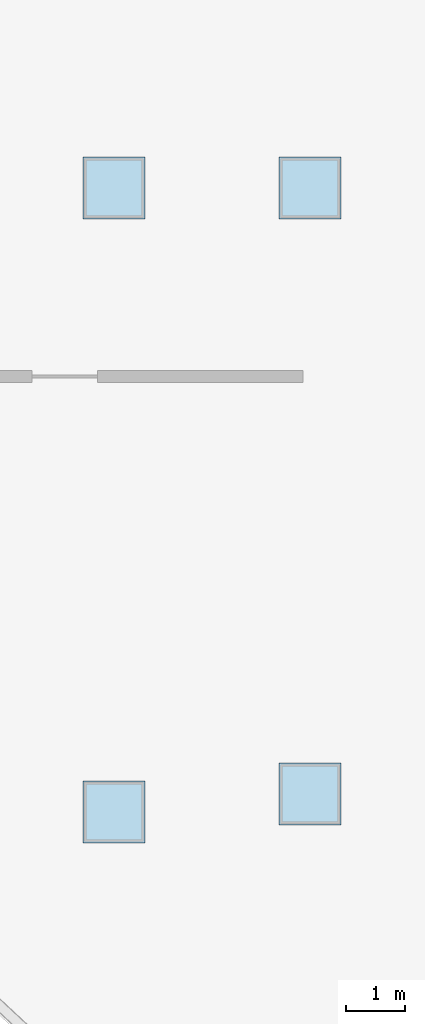
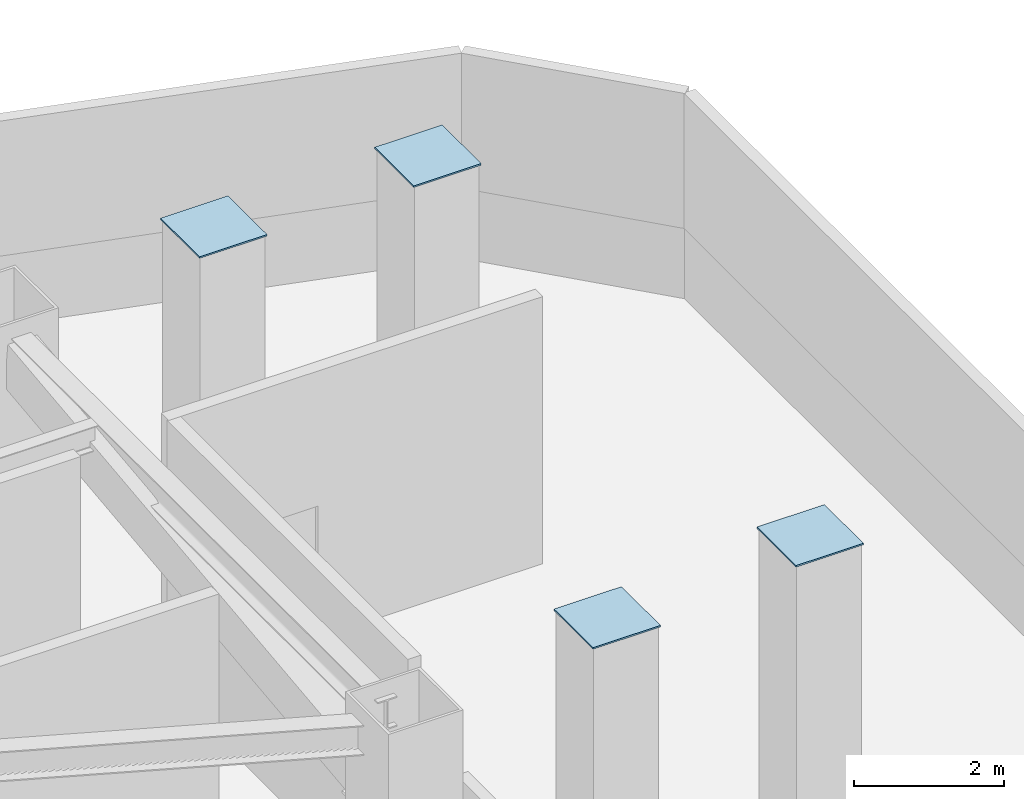
# One storey, part 6 of 23: 4 plates.
"""IFC4 building model written with IfcOpenShell, lengths in metres."""

from ifc_helpers import new_model, si_unit, direction, frame, origin, origin_2d, place, context, subcontext, project, spatial, rectangle, extrude, material, layer, layer_set, type_object, element, save


model = new_model("IFC4")

# Units and contexts
model_context = context("Model", 3, precision=1e-05, world=origin(), true_north=direction((0.0, 1.0)))
body_context = subcontext(model_context, "Body", "Model", "MODEL_VIEW")
ifc_project = project(units=[si_unit("LENGTHUNIT", "METRE"), si_unit("AREAUNIT", "SQUARE_METRE"), si_unit("VOLUMEUNIT", "CUBIC_METRE"), si_unit("PLANEANGLEUNIT", "RADIAN"), si_unit("MASSUNIT", "GRAM", prefix="KILO")], contexts=[model_context])

# Site, building, storey
site_placement = place(None, origin())
site = spatial("IfcSite", under=ifc_project, at=site_placement, CompositionType="ELEMENT")
building_placement = place(site_placement, origin())
building = spatial("IfcBuilding", under=site, at=building_placement, Name="Haolan Belvedere Tower", CompositionType="ELEMENT")
storey_placement = place(building_placement, frame((0.0, 0.0, 89.39990234375)))
storey = spatial("IfcBuildingStorey", under=building, at=storey_placement, Name="L22", CompositionType="ELEMENT", Elevation=89.39990234375)

# Plates
ifc_material = material(Name="Steel Q355B", Category="steel")
ifc_layer = layer(ifc_material, 0.02490234375, Name="Steel Q355B")
ifc_layer_set = layer_set([ifc_layer], Name="Steel Q355B")
plate_type = type_object("IfcPlateType", Name="PL-CAP-25", PredefinedType="SHEET", material=ifc_layer_set)
for number, where, z_axis, x_axis, name in (
    (1, (70.800048828125, 17.39990234375, 4.60009765625), (0.0, 0.0, 1.0), (1.0, 0.0, 0.0), "Hollow steel end-cap plate COL-L22-MC-T5-SE-TCAP"),
    (2, (70.800048828125, 27.60009765625, 4.60009765625), (0.0, 0.0, 1.0), (1.0, 0.0, 0.0), "Hollow steel end-cap plate COL-L22-MC-T5-NE-TCAP"),
    (3, (67.5, 17.10009765625, 4.60009765625), (0.0, 0.0, 1.0), (1.0, 0.0, 0.0), "Hollow steel end-cap plate COL-L22-TC-T5-M1-TCAP"),
    (4, (67.5, 27.60009765625, 4.60009765625), (0.0, 0.0, 1.0), (1.0, 0.0, 0.0), "Hollow steel end-cap plate COL-L22-TC-T5-M2-TCAP"),
):
    element("IfcPlate", number, at=place(storey_placement, frame(where, z_axis=z_axis, x_axis=x_axis)), inside=storey, type_object=plate_type, Name=name, PredefinedType="SHEET", context=body_context, shape_type="SweptSolid", body=[
        extrude(rectangle(XDim=1.0400390625, YDim=1.0400390625, at=origin_2d()), origin(), (0.0, 0.0, 1.0), 0.02490234375),
    ])

save(model, "model.ifc")
